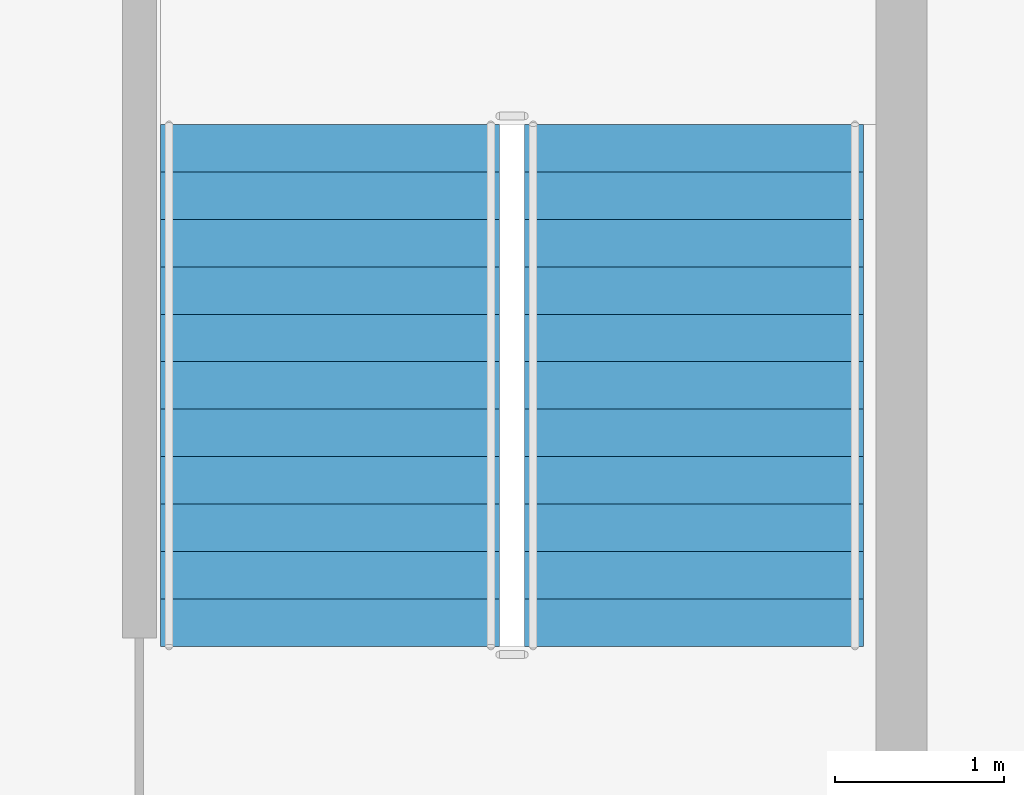
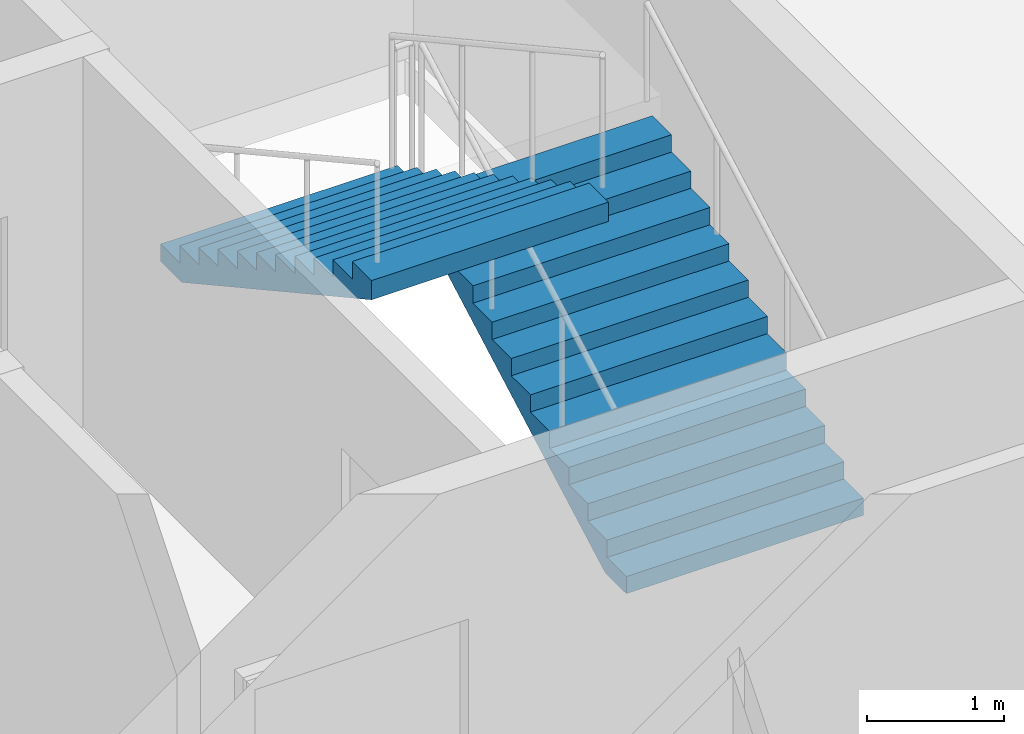
# One storey, part 8 of 11: 2 stair flights, 1 element without a shape of its own.
"""IFC4 building model written with IfcOpenShell, lengths in metres."""

from ifc_helpers import new_model, si_unit, direction, frame, origin, place, context, subcontext, project, spatial, polygons, material, type_object, element, aggregate, save


model = new_model("IFC4")

# Units and contexts
model_context = context("Model", 3, precision=1e-05, world=origin(), true_north=direction((0.0, 1.0)))
body_context = subcontext(model_context, "Body", "Model", "MODEL_VIEW")
ifc_project = project(units=[si_unit("LENGTHUNIT", "METRE"), si_unit("AREAUNIT", "SQUARE_METRE"), si_unit("VOLUMEUNIT", "CUBIC_METRE"), si_unit("PLANEANGLEUNIT", "RADIAN"), si_unit("MASSUNIT", "GRAM", prefix="KILO")], contexts=[model_context])

# Site, building, storey
site_placement = place(None, origin())
site = spatial("IfcSite", under=ifc_project, at=site_placement, CompositionType="ELEMENT")
building_placement = place(site_placement, origin())
building = spatial("IfcBuilding", under=site, at=building_placement, Name="Caravel Reach Hotel and Residences", CompositionType="ELEMENT")
storey_placement = place(building_placement, frame((0.0, 0.0, 274.89990234375)))
storey = spatial("IfcBuildingStorey", under=building, at=storey_placement, Name="L70", CompositionType="ELEMENT", Elevation=274.89990234375)

# Stair, stair flights
ifc_material_1 = material(Name="Concrete C40", Category="concrete")
stair_type = type_object("IfcStairType", Name="Core stair", PredefinedType="HALF_TURN_STAIR", material=ifc_material_1)
stair_placement = place(storey_placement, origin())
stair = element("IfcStair", 1, at=stair_placement, inside=storey, type_object=stair_type, Name="L70 Exit stair B", PredefinedType="HALF_TURN_STAIR")
ifc_material_2 = material(Name="Concrete C40", Category="concrete")
stair_flight_type = type_object("IfcStairFlightType", Name="Core stair flight", PredefinedType="STRAIGHT", material=ifc_material_2)
stair_flight_1_placement = place(storey_placement, frame((43.77490234375, 24.64990234375, 0.0), z_axis=(0.0, 0.0, 1.0), x_axis=(0.0, 1.0, 0.0)))
stair_flight_1 = element("IfcStairFlight", 2, at=stair_flight_1_placement, type_object=stair_flight_type, Name="ST-B flight 1", NumberOfRisers=12, NumberOfTreads=11, PredefinedType="STRAIGHT", RiserHeight=0.154166667, TreadLength=0.28, context=body_context, shape_type="Tessellation", body=[
    polygons([(0.3107950034306102, 1.0, 0.0), (0.3107950034306102, 0.6666666666666667, 0.0), (0.3107950034306102, 0.33333333333333337, 0.0), (0.3107950034306102, 0.0, 0.0), (0.3107950034306102, -0.33333333333333326, 0.0), (0.3107950034306102, -0.6666666666666667, 0.0), (0.3107950034306102, -1.0, 0.0), (3.081, 1.0, 1.524711087717319), (3.081, 0.6666666666666667, 1.524711087717319), (3.081, 0.33333333333333337, 1.524711087717319), (3.081, 0.0, 1.524711087717319), (3.081, -0.33333333333333326, 1.524711087717319), (3.081, -0.6666666666666667, 1.524711087717319), (3.081, -1.0, 1.524711087717319), (3.081, 1.0, 1.695833337), (3.081, 0.6666666666666667, 1.695833337), (3.081, 0.33333333333333337, 1.695833337), (3.081, 0.0, 1.695833337), (3.081, -0.33333333333333326, 1.695833337), (3.081, -0.6666666666666667, 1.695833337), (3.081, -1.0, 1.695833337), (2.8000000000000003, 1.0, 1.695833337), (2.8000000000000003, 0.6666666666666667, 1.695833337), (2.8000000000000003, 0.33333333333333337, 1.695833337), (2.8000000000000003, 0.0, 1.695833337), (2.8000000000000003, -0.33333333333333326, 1.695833337), (2.8000000000000003, -0.6666666666666667, 1.695833337), (2.8000000000000003, -1.0, 1.695833337), (2.8000000000000003, 1.0, 1.5416666700000001), (2.8000000000000003, 0.6666666666666667, 1.5416666700000001), (2.8000000000000003, 0.33333333333333337, 1.5416666700000001), (2.8000000000000003, 0.0, 1.5416666700000001), (2.8000000000000003, -0.33333333333333326, 1.5416666700000001), (2.8000000000000003, -0.6666666666666667, 1.5416666700000001), (2.8000000000000003, -1.0, 1.5416666700000001), (2.5200000000000005, 1.0, 1.5416666700000001), (2.5200000000000005, 0.6666666666666667, 1.5416666700000001), (2.5200000000000005, 0.33333333333333337, 1.5416666700000001), (2.5200000000000005, 0.0, 1.5416666700000001), (2.5200000000000005, -0.33333333333333326, 1.5416666700000001), (2.5200000000000005, -0.6666666666666667, 1.5416666700000001), (2.5200000000000005, -1.0, 1.5416666700000001), (2.5200000000000005, 1.0, 1.387500003), (2.5200000000000005, 0.6666666666666667, 1.387500003), (2.5200000000000005, 0.33333333333333337, 1.387500003), (2.5200000000000005, 0.0, 1.387500003), (2.5200000000000005, -0.33333333333333326, 1.387500003), (2.5200000000000005, -0.6666666666666667, 1.387500003), (2.5200000000000005, -1.0, 1.387500003), (2.24, 1.0, 1.387500003), (2.24, 0.6666666666666667, 1.387500003), (2.24, 0.33333333333333337, 1.387500003), (2.24, 0.0, 1.387500003), (2.24, -0.33333333333333326, 1.387500003), (2.24, -0.6666666666666667, 1.387500003), (2.24, -1.0, 1.387500003), (2.24, 1.0, 1.233333336), (2.24, 0.6666666666666667, 1.233333336), (2.24, 0.33333333333333337, 1.233333336), (2.24, 0.0, 1.233333336), (2.24, -0.33333333333333326, 1.233333336), (2.24, -0.6666666666666667, 1.233333336), (2.24, -1.0, 1.233333336), (1.9600000000000002, 1.0, 1.233333336), (1.9600000000000002, 0.6666666666666667, 1.233333336), (1.9600000000000002, 0.33333333333333337, 1.233333336), (1.9600000000000002, 0.0, 1.233333336), (1.9600000000000002, -0.33333333333333326, 1.233333336), (1.9600000000000002, -0.6666666666666667, 1.233333336), (1.9600000000000002, -1.0, 1.233333336), (1.9600000000000002, 1.0, 1.0791666690000001), (1.9600000000000002, 0.6666666666666667, 1.0791666690000001), (1.9600000000000002, 0.33333333333333337, 1.0791666690000001), (1.9600000000000002, 0.0, 1.0791666690000001), (1.9600000000000002, -0.33333333333333326, 1.0791666690000001), (1.9600000000000002, -0.6666666666666667, 1.0791666690000001), (1.9600000000000002, -1.0, 1.0791666690000001), (1.6800000000000002, 1.0, 1.0791666690000001), (1.6800000000000002, 0.6666666666666667, 1.0791666690000001), (1.6800000000000002, 0.33333333333333337, 1.0791666690000001), (1.6800000000000002, 0.0, 1.0791666690000001), (1.6800000000000002, -0.33333333333333326, 1.0791666690000001), (1.6800000000000002, -0.6666666666666667, 1.0791666690000001), (1.6800000000000002, -1.0, 1.0791666690000001), (1.6800000000000002, 1.0, 0.925000002), (1.6800000000000002, 0.6666666666666667, 0.925000002), (1.6800000000000002, 0.33333333333333337, 0.925000002), (1.6800000000000002, 0.0, 0.925000002), (1.6800000000000002, -0.33333333333333326, 0.925000002), (1.6800000000000002, -0.6666666666666667, 0.925000002), (1.6800000000000002, -1.0, 0.925000002), (1.4000000000000001, 1.0, 0.925000002), (1.4000000000000001, 0.6666666666666667, 0.925000002), (1.4000000000000001, 0.33333333333333337, 0.925000002), (1.4000000000000001, 0.0, 0.925000002), (1.4000000000000001, -0.33333333333333326, 0.925000002), (1.4000000000000001, -0.6666666666666667, 0.925000002), (1.4000000000000001, -1.0, 0.925000002), (1.4000000000000001, 1.0, 0.7708333350000001), (1.4000000000000001, 0.6666666666666667, 0.7708333350000001), (1.4000000000000001, 0.33333333333333337, 0.7708333350000001), (1.4000000000000001, 0.0, 0.7708333350000001), (1.4000000000000001, -0.33333333333333326, 0.7708333350000001), (1.4000000000000001, -0.6666666666666667, 0.7708333350000001), (1.4000000000000001, -1.0, 0.7708333350000001), (1.12, 1.0, 0.7708333350000001), (1.12, 0.6666666666666667, 0.7708333350000001), (1.12, 0.33333333333333337, 0.7708333350000001), (1.12, 0.0, 0.7708333350000001), (1.12, -0.33333333333333326, 0.7708333350000001), (1.12, -0.6666666666666667, 0.7708333350000001), (1.12, -1.0, 0.7708333350000001), (1.12, 1.0, 0.616666668), (1.12, 0.6666666666666667, 0.616666668), (1.12, 0.33333333333333337, 0.616666668), (1.12, 0.0, 0.616666668), (1.12, -0.33333333333333326, 0.616666668), (1.12, -0.6666666666666667, 0.616666668), (1.12, -1.0, 0.616666668), (0.8400000000000001, 1.0, 0.616666668), (0.8400000000000001, 0.6666666666666667, 0.616666668), (0.8400000000000001, 0.33333333333333337, 0.616666668), (0.8400000000000001, 0.0, 0.616666668), (0.8400000000000001, -0.33333333333333326, 0.616666668), (0.8400000000000001, -0.6666666666666667, 0.616666668), (0.8400000000000001, -1.0, 0.616666668), (0.8400000000000001, 1.0, 0.462500001), (0.8400000000000001, 0.6666666666666667, 0.462500001), (0.8400000000000001, 0.33333333333333337, 0.462500001), (0.8400000000000001, 0.0, 0.462500001), (0.8400000000000001, -0.33333333333333326, 0.462500001), (0.8400000000000001, -0.6666666666666667, 0.462500001), (0.8400000000000001, -1.0, 0.462500001), (0.56, 1.0, 0.462500001), (0.56, 0.6666666666666667, 0.462500001), (0.56, 0.33333333333333337, 0.462500001), (0.56, 0.0, 0.462500001), (0.56, -0.33333333333333326, 0.462500001), (0.56, -0.6666666666666667, 0.462500001), (0.56, -1.0, 0.462500001), (0.56, 1.0, 0.308333334), (0.56, 0.6666666666666667, 0.308333334), (0.56, 0.33333333333333337, 0.308333334), (0.56, 0.0, 0.308333334), (0.56, -0.33333333333333326, 0.308333334), (0.56, -0.6666666666666667, 0.308333334), (0.56, -1.0, 0.308333334), (0.28, 1.0, 0.308333334), (0.28, 0.6666666666666667, 0.308333334), (0.28, 0.33333333333333337, 0.308333334), (0.28, 0.0, 0.308333334), (0.28, -0.33333333333333326, 0.308333334), (0.28, -0.6666666666666667, 0.308333334), (0.28, -1.0, 0.308333334), (0.28, 1.0, 0.154166667), (0.28, 0.6666666666666667, 0.154166667), (0.28, 0.33333333333333337, 0.154166667), (0.28, 0.0, 0.154166667), (0.28, -0.33333333333333326, 0.154166667), (0.28, -0.6666666666666667, 0.154166667), (0.28, -1.0, 0.154166667), (-0.001, 1.0, 0.154166667), (-0.001, 0.6666666666666667, 0.154166667), (-0.001, 0.33333333333333337, 0.154166667), (-0.001, 0.0, 0.154166667), (-0.001, -0.33333333333333326, 0.154166667), (-0.001, -0.6666666666666667, 0.154166667), (-0.001, -1.0, 0.154166667), (-0.001, 1.0, 0.0), (-0.001, 0.6666666666666667, 0.0), (-0.001, 0.33333333333333337, 0.0), (-0.001, 0.0, 0.0), (-0.001, -0.33333333333333326, 0.0), (-0.001, -0.6666666666666667, 0.0), (-0.001, -1.0, 0.0)], [[[169, 162, 155, 148, 141, 134, 127, 120, 113, 106, 99, 92, 85, 78, 71, 64, 57, 50, 43, 36, 29, 22, 15, 8, 1]], [[7, 14, 21, 28, 35, 42, 49, 56, 63, 70, 77, 84, 91, 98, 105, 112, 119, 126, 133, 140, 147, 154, 161, 168, 175]], [[1, 8, 9, 2]], [[2, 9, 10, 3]], [[3, 10, 11, 4]], [[4, 11, 12, 5]], [[5, 12, 13, 6]], [[6, 13, 14, 7]], [[8, 15, 16, 9]], [[9, 16, 17, 10]], [[10, 17, 18, 11]], [[11, 18, 19, 12]], [[12, 19, 20, 13]], [[13, 20, 21, 14]], [[15, 22, 23, 16]], [[16, 23, 24, 17]], [[17, 24, 25, 18]], [[18, 25, 26, 19]], [[19, 26, 27, 20]], [[20, 27, 28, 21]], [[22, 29, 30, 23]], [[23, 30, 31, 24]], [[24, 31, 32, 25]], [[25, 32, 33, 26]], [[26, 33, 34, 27]], [[27, 34, 35, 28]], [[29, 36, 37, 30]], [[30, 37, 38, 31]], [[31, 38, 39, 32]], [[32, 39, 40, 33]], [[33, 40, 41, 34]], [[34, 41, 42, 35]], [[36, 43, 44, 37]], [[37, 44, 45, 38]], [[38, 45, 46, 39]], [[39, 46, 47, 40]], [[40, 47, 48, 41]], [[41, 48, 49, 42]], [[43, 50, 51, 44]], [[44, 51, 52, 45]], [[45, 52, 53, 46]], [[46, 53, 54, 47]], [[47, 54, 55, 48]], [[48, 55, 56, 49]], [[50, 57, 58, 51]], [[51, 58, 59, 52]], [[52, 59, 60, 53]], [[53, 60, 61, 54]], [[54, 61, 62, 55]], [[55, 62, 63, 56]], [[57, 64, 65, 58]], [[58, 65, 66, 59]], [[59, 66, 67, 60]], [[60, 67, 68, 61]], [[61, 68, 69, 62]], [[62, 69, 70, 63]], [[64, 71, 72, 65]], [[65, 72, 73, 66]], [[66, 73, 74, 67]], [[67, 74, 75, 68]], [[68, 75, 76, 69]], [[69, 76, 77, 70]], [[71, 78, 79, 72]], [[72, 79, 80, 73]], [[73, 80, 81, 74]], [[74, 81, 82, 75]], [[75, 82, 83, 76]], [[76, 83, 84, 77]], [[78, 85, 86, 79]], [[79, 86, 87, 80]], [[80, 87, 88, 81]], [[81, 88, 89, 82]], [[82, 89, 90, 83]], [[83, 90, 91, 84]], [[85, 92, 93, 86]], [[86, 93, 94, 87]], [[87, 94, 95, 88]], [[88, 95, 96, 89]], [[89, 96, 97, 90]], [[90, 97, 98, 91]], [[92, 99, 100, 93]], [[93, 100, 101, 94]], [[94, 101, 102, 95]], [[95, 102, 103, 96]], [[96, 103, 104, 97]], [[97, 104, 105, 98]], [[99, 106, 107, 100]], [[100, 107, 108, 101]], [[101, 108, 109, 102]], [[102, 109, 110, 103]], [[103, 110, 111, 104]], [[104, 111, 112, 105]], [[106, 113, 114, 107]], [[107, 114, 115, 108]], [[108, 115, 116, 109]], [[109, 116, 117, 110]], [[110, 117, 118, 111]], [[111, 118, 119, 112]], [[113, 120, 121, 114]], [[114, 121, 122, 115]], [[115, 122, 123, 116]], [[116, 123, 124, 117]], [[117, 124, 125, 118]], [[118, 125, 126, 119]], [[120, 127, 128, 121]], [[121, 128, 129, 122]], [[122, 129, 130, 123]], [[123, 130, 131, 124]], [[124, 131, 132, 125]], [[125, 132, 133, 126]], [[127, 134, 135, 128]], [[128, 135, 136, 129]], [[129, 136, 137, 130]], [[130, 137, 138, 131]], [[131, 138, 139, 132]], [[132, 139, 140, 133]], [[134, 141, 142, 135]], [[135, 142, 143, 136]], [[136, 143, 144, 137]], [[137, 144, 145, 138]], [[138, 145, 146, 139]], [[139, 146, 147, 140]], [[141, 148, 149, 142]], [[142, 149, 150, 143]], [[143, 150, 151, 144]], [[144, 151, 152, 145]], [[145, 152, 153, 146]], [[146, 153, 154, 147]], [[148, 155, 156, 149]], [[149, 156, 157, 150]], [[150, 157, 158, 151]], [[151, 158, 159, 152]], [[152, 159, 160, 153]], [[153, 160, 161, 154]], [[155, 162, 163, 156]], [[156, 163, 164, 157]], [[157, 164, 165, 158]], [[158, 165, 166, 159]], [[159, 166, 167, 160]], [[160, 167, 168, 161]], [[162, 169, 170, 163]], [[163, 170, 171, 164]], [[164, 171, 172, 165]], [[165, 172, 173, 166]], [[166, 173, 174, 167]], [[167, 174, 175, 168]], [[169, 1, 2, 170]], [[170, 2, 3, 171]], [[171, 3, 4, 172]], [[172, 4, 5, 173]], [[173, 5, 6, 174]], [[174, 6, 7, 175]]], closed=True),
])
stair_flight_2_placement = place(storey_placement, frame((41.625, 27.72998046875, 1.85009765625), z_axis=(0.0, 0.0, 1.0), x_axis=(0.0, -1.0, 0.0)))
stair_flight_2 = element("IfcStairFlight", 3, at=stair_flight_2_placement, type_object=stair_flight_type, Name="ST-B flight 2", NumberOfRisers=12, NumberOfTreads=11, PredefinedType="STRAIGHT", RiserHeight=0.154166667, TreadLength=0.28, context=body_context, shape_type="Tessellation", body=[
    polygons([(0.3107950034306102, 1.0, 0.0), (0.3107950034306102, 0.6666666666666667, 0.0), (0.3107950034306102, 0.33333333333333337, 0.0), (0.3107950034306102, 0.0, 0.0), (0.3107950034306102, -0.33333333333333326, 0.0), (0.3107950034306102, -0.6666666666666667, 0.0), (0.3107950034306102, -1.0, 0.0), (3.081, 1.0, 1.524711087717319), (3.081, 0.6666666666666667, 1.524711087717319), (3.081, 0.33333333333333337, 1.524711087717319), (3.081, 0.0, 1.524711087717319), (3.081, -0.33333333333333326, 1.524711087717319), (3.081, -0.6666666666666667, 1.524711087717319), (3.081, -1.0, 1.524711087717319), (3.081, 1.0, 1.695833337), (3.081, 0.6666666666666667, 1.695833337), (3.081, 0.33333333333333337, 1.695833337), (3.081, 0.0, 1.695833337), (3.081, -0.33333333333333326, 1.695833337), (3.081, -0.6666666666666667, 1.695833337), (3.081, -1.0, 1.695833337), (2.8000000000000003, 1.0, 1.695833337), (2.8000000000000003, 0.6666666666666667, 1.695833337), (2.8000000000000003, 0.33333333333333337, 1.695833337), (2.8000000000000003, 0.0, 1.695833337), (2.8000000000000003, -0.33333333333333326, 1.695833337), (2.8000000000000003, -0.6666666666666667, 1.695833337), (2.8000000000000003, -1.0, 1.695833337), (2.8000000000000003, 1.0, 1.5416666700000001), (2.8000000000000003, 0.6666666666666667, 1.5416666700000001), (2.8000000000000003, 0.33333333333333337, 1.5416666700000001), (2.8000000000000003, 0.0, 1.5416666700000001), (2.8000000000000003, -0.33333333333333326, 1.5416666700000001), (2.8000000000000003, -0.6666666666666667, 1.5416666700000001), (2.8000000000000003, -1.0, 1.5416666700000001), (2.5200000000000005, 1.0, 1.5416666700000001), (2.5200000000000005, 0.6666666666666667, 1.5416666700000001), (2.5200000000000005, 0.33333333333333337, 1.5416666700000001), (2.5200000000000005, 0.0, 1.5416666700000001), (2.5200000000000005, -0.33333333333333326, 1.5416666700000001), (2.5200000000000005, -0.6666666666666667, 1.5416666700000001), (2.5200000000000005, -1.0, 1.5416666700000001), (2.5200000000000005, 1.0, 1.387500003), (2.5200000000000005, 0.6666666666666667, 1.387500003), (2.5200000000000005, 0.33333333333333337, 1.387500003), (2.5200000000000005, 0.0, 1.387500003), (2.5200000000000005, -0.33333333333333326, 1.387500003), (2.5200000000000005, -0.6666666666666667, 1.387500003), (2.5200000000000005, -1.0, 1.387500003), (2.24, 1.0, 1.387500003), (2.24, 0.6666666666666667, 1.387500003), (2.24, 0.33333333333333337, 1.387500003), (2.24, 0.0, 1.387500003), (2.24, -0.33333333333333326, 1.387500003), (2.24, -0.6666666666666667, 1.387500003), (2.24, -1.0, 1.387500003), (2.24, 1.0, 1.233333336), (2.24, 0.6666666666666667, 1.233333336), (2.24, 0.33333333333333337, 1.233333336), (2.24, 0.0, 1.233333336), (2.24, -0.33333333333333326, 1.233333336), (2.24, -0.6666666666666667, 1.233333336), (2.24, -1.0, 1.233333336), (1.9600000000000002, 1.0, 1.233333336), (1.9600000000000002, 0.6666666666666667, 1.233333336), (1.9600000000000002, 0.33333333333333337, 1.233333336), (1.9600000000000002, 0.0, 1.233333336), (1.9600000000000002, -0.33333333333333326, 1.233333336), (1.9600000000000002, -0.6666666666666667, 1.233333336), (1.9600000000000002, -1.0, 1.233333336), (1.9600000000000002, 1.0, 1.0791666690000001), (1.9600000000000002, 0.6666666666666667, 1.0791666690000001), (1.9600000000000002, 0.33333333333333337, 1.0791666690000001), (1.9600000000000002, 0.0, 1.0791666690000001), (1.9600000000000002, -0.33333333333333326, 1.0791666690000001), (1.9600000000000002, -0.6666666666666667, 1.0791666690000001), (1.9600000000000002, -1.0, 1.0791666690000001), (1.6800000000000002, 1.0, 1.0791666690000001), (1.6800000000000002, 0.6666666666666667, 1.0791666690000001), (1.6800000000000002, 0.33333333333333337, 1.0791666690000001), (1.6800000000000002, 0.0, 1.0791666690000001), (1.6800000000000002, -0.33333333333333326, 1.0791666690000001), (1.6800000000000002, -0.6666666666666667, 1.0791666690000001), (1.6800000000000002, -1.0, 1.0791666690000001), (1.6800000000000002, 1.0, 0.925000002), (1.6800000000000002, 0.6666666666666667, 0.925000002), (1.6800000000000002, 0.33333333333333337, 0.925000002), (1.6800000000000002, 0.0, 0.925000002), (1.6800000000000002, -0.33333333333333326, 0.925000002), (1.6800000000000002, -0.6666666666666667, 0.925000002), (1.6800000000000002, -1.0, 0.925000002), (1.4000000000000001, 1.0, 0.925000002), (1.4000000000000001, 0.6666666666666667, 0.925000002), (1.4000000000000001, 0.33333333333333337, 0.925000002), (1.4000000000000001, 0.0, 0.925000002), (1.4000000000000001, -0.33333333333333326, 0.925000002), (1.4000000000000001, -0.6666666666666667, 0.925000002), (1.4000000000000001, -1.0, 0.925000002), (1.4000000000000001, 1.0, 0.7708333350000001), (1.4000000000000001, 0.6666666666666667, 0.7708333350000001), (1.4000000000000001, 0.33333333333333337, 0.7708333350000001), (1.4000000000000001, 0.0, 0.7708333350000001), (1.4000000000000001, -0.33333333333333326, 0.7708333350000001), (1.4000000000000001, -0.6666666666666667, 0.7708333350000001), (1.4000000000000001, -1.0, 0.7708333350000001), (1.12, 1.0, 0.7708333350000001), (1.12, 0.6666666666666667, 0.7708333350000001), (1.12, 0.33333333333333337, 0.7708333350000001), (1.12, 0.0, 0.7708333350000001), (1.12, -0.33333333333333326, 0.7708333350000001), (1.12, -0.6666666666666667, 0.7708333350000001), (1.12, -1.0, 0.7708333350000001), (1.12, 1.0, 0.616666668), (1.12, 0.6666666666666667, 0.616666668), (1.12, 0.33333333333333337, 0.616666668), (1.12, 0.0, 0.616666668), (1.12, -0.33333333333333326, 0.616666668), (1.12, -0.6666666666666667, 0.616666668), (1.12, -1.0, 0.616666668), (0.8400000000000001, 1.0, 0.616666668), (0.8400000000000001, 0.6666666666666667, 0.616666668), (0.8400000000000001, 0.33333333333333337, 0.616666668), (0.8400000000000001, 0.0, 0.616666668), (0.8400000000000001, -0.33333333333333326, 0.616666668), (0.8400000000000001, -0.6666666666666667, 0.616666668), (0.8400000000000001, -1.0, 0.616666668), (0.8400000000000001, 1.0, 0.462500001), (0.8400000000000001, 0.6666666666666667, 0.462500001), (0.8400000000000001, 0.33333333333333337, 0.462500001), (0.8400000000000001, 0.0, 0.462500001), (0.8400000000000001, -0.33333333333333326, 0.462500001), (0.8400000000000001, -0.6666666666666667, 0.462500001), (0.8400000000000001, -1.0, 0.462500001), (0.56, 1.0, 0.462500001), (0.56, 0.6666666666666667, 0.462500001), (0.56, 0.33333333333333337, 0.462500001), (0.56, 0.0, 0.462500001), (0.56, -0.33333333333333326, 0.462500001), (0.56, -0.6666666666666667, 0.462500001), (0.56, -1.0, 0.462500001), (0.56, 1.0, 0.308333334), (0.56, 0.6666666666666667, 0.308333334), (0.56, 0.33333333333333337, 0.308333334), (0.56, 0.0, 0.308333334), (0.56, -0.33333333333333326, 0.308333334), (0.56, -0.6666666666666667, 0.308333334), (0.56, -1.0, 0.308333334), (0.28, 1.0, 0.308333334), (0.28, 0.6666666666666667, 0.308333334), (0.28, 0.33333333333333337, 0.308333334), (0.28, 0.0, 0.308333334), (0.28, -0.33333333333333326, 0.308333334), (0.28, -0.6666666666666667, 0.308333334), (0.28, -1.0, 0.308333334), (0.28, 1.0, 0.154166667), (0.28, 0.6666666666666667, 0.154166667), (0.28, 0.33333333333333337, 0.154166667), (0.28, 0.0, 0.154166667), (0.28, -0.33333333333333326, 0.154166667), (0.28, -0.6666666666666667, 0.154166667), (0.28, -1.0, 0.154166667), (-0.001, 1.0, 0.154166667), (-0.001, 0.6666666666666667, 0.154166667), (-0.001, 0.33333333333333337, 0.154166667), (-0.001, 0.0, 0.154166667), (-0.001, -0.33333333333333326, 0.154166667), (-0.001, -0.6666666666666667, 0.154166667), (-0.001, -1.0, 0.154166667), (-0.001, 1.0, 0.0), (-0.001, 0.6666666666666667, 0.0), (-0.001, 0.33333333333333337, 0.0), (-0.001, 0.0, 0.0), (-0.001, -0.33333333333333326, 0.0), (-0.001, -0.6666666666666667, 0.0), (-0.001, -1.0, 0.0)], [[[169, 162, 155, 148, 141, 134, 127, 120, 113, 106, 99, 92, 85, 78, 71, 64, 57, 50, 43, 36, 29, 22, 15, 8, 1]], [[7, 14, 21, 28, 35, 42, 49, 56, 63, 70, 77, 84, 91, 98, 105, 112, 119, 126, 133, 140, 147, 154, 161, 168, 175]], [[1, 8, 9, 2]], [[2, 9, 10, 3]], [[3, 10, 11, 4]], [[4, 11, 12, 5]], [[5, 12, 13, 6]], [[6, 13, 14, 7]], [[8, 15, 16, 9]], [[9, 16, 17, 10]], [[10, 17, 18, 11]], [[11, 18, 19, 12]], [[12, 19, 20, 13]], [[13, 20, 21, 14]], [[15, 22, 23, 16]], [[16, 23, 24, 17]], [[17, 24, 25, 18]], [[18, 25, 26, 19]], [[19, 26, 27, 20]], [[20, 27, 28, 21]], [[22, 29, 30, 23]], [[23, 30, 31, 24]], [[24, 31, 32, 25]], [[25, 32, 33, 26]], [[26, 33, 34, 27]], [[27, 34, 35, 28]], [[29, 36, 37, 30]], [[30, 37, 38, 31]], [[31, 38, 39, 32]], [[32, 39, 40, 33]], [[33, 40, 41, 34]], [[34, 41, 42, 35]], [[36, 43, 44, 37]], [[37, 44, 45, 38]], [[38, 45, 46, 39]], [[39, 46, 47, 40]], [[40, 47, 48, 41]], [[41, 48, 49, 42]], [[43, 50, 51, 44]], [[44, 51, 52, 45]], [[45, 52, 53, 46]], [[46, 53, 54, 47]], [[47, 54, 55, 48]], [[48, 55, 56, 49]], [[50, 57, 58, 51]], [[51, 58, 59, 52]], [[52, 59, 60, 53]], [[53, 60, 61, 54]], [[54, 61, 62, 55]], [[55, 62, 63, 56]], [[57, 64, 65, 58]], [[58, 65, 66, 59]], [[59, 66, 67, 60]], [[60, 67, 68, 61]], [[61, 68, 69, 62]], [[62, 69, 70, 63]], [[64, 71, 72, 65]], [[65, 72, 73, 66]], [[66, 73, 74, 67]], [[67, 74, 75, 68]], [[68, 75, 76, 69]], [[69, 76, 77, 70]], [[71, 78, 79, 72]], [[72, 79, 80, 73]], [[73, 80, 81, 74]], [[74, 81, 82, 75]], [[75, 82, 83, 76]], [[76, 83, 84, 77]], [[78, 85, 86, 79]], [[79, 86, 87, 80]], [[80, 87, 88, 81]], [[81, 88, 89, 82]], [[82, 89, 90, 83]], [[83, 90, 91, 84]], [[85, 92, 93, 86]], [[86, 93, 94, 87]], [[87, 94, 95, 88]], [[88, 95, 96, 89]], [[89, 96, 97, 90]], [[90, 97, 98, 91]], [[92, 99, 100, 93]], [[93, 100, 101, 94]], [[94, 101, 102, 95]], [[95, 102, 103, 96]], [[96, 103, 104, 97]], [[97, 104, 105, 98]], [[99, 106, 107, 100]], [[100, 107, 108, 101]], [[101, 108, 109, 102]], [[102, 109, 110, 103]], [[103, 110, 111, 104]], [[104, 111, 112, 105]], [[106, 113, 114, 107]], [[107, 114, 115, 108]], [[108, 115, 116, 109]], [[109, 116, 117, 110]], [[110, 117, 118, 111]], [[111, 118, 119, 112]], [[113, 120, 121, 114]], [[114, 121, 122, 115]], [[115, 122, 123, 116]], [[116, 123, 124, 117]], [[117, 124, 125, 118]], [[118, 125, 126, 119]], [[120, 127, 128, 121]], [[121, 128, 129, 122]], [[122, 129, 130, 123]], [[123, 130, 131, 124]], [[124, 131, 132, 125]], [[125, 132, 133, 126]], [[127, 134, 135, 128]], [[128, 135, 136, 129]], [[129, 136, 137, 130]], [[130, 137, 138, 131]], [[131, 138, 139, 132]], [[132, 139, 140, 133]], [[134, 141, 142, 135]], [[135, 142, 143, 136]], [[136, 143, 144, 137]], [[137, 144, 145, 138]], [[138, 145, 146, 139]], [[139, 146, 147, 140]], [[141, 148, 149, 142]], [[142, 149, 150, 143]], [[143, 150, 151, 144]], [[144, 151, 152, 145]], [[145, 152, 153, 146]], [[146, 153, 154, 147]], [[148, 155, 156, 149]], [[149, 156, 157, 150]], [[150, 157, 158, 151]], [[151, 158, 159, 152]], [[152, 159, 160, 153]], [[153, 160, 161, 154]], [[155, 162, 163, 156]], [[156, 163, 164, 157]], [[157, 164, 165, 158]], [[158, 165, 166, 159]], [[159, 166, 167, 160]], [[160, 167, 168, 161]], [[162, 169, 170, 163]], [[163, 170, 171, 164]], [[164, 171, 172, 165]], [[165, 172, 173, 166]], [[166, 173, 174, 167]], [[167, 174, 175, 168]], [[169, 1, 2, 170]], [[170, 2, 3, 171]], [[171, 3, 4, 172]], [[172, 4, 5, 173]], [[173, 5, 6, 174]], [[174, 6, 7, 175]]], closed=True),
])
aggregate(stair, [stair_flight_1, stair_flight_2])

save(model, "model.ifc")
